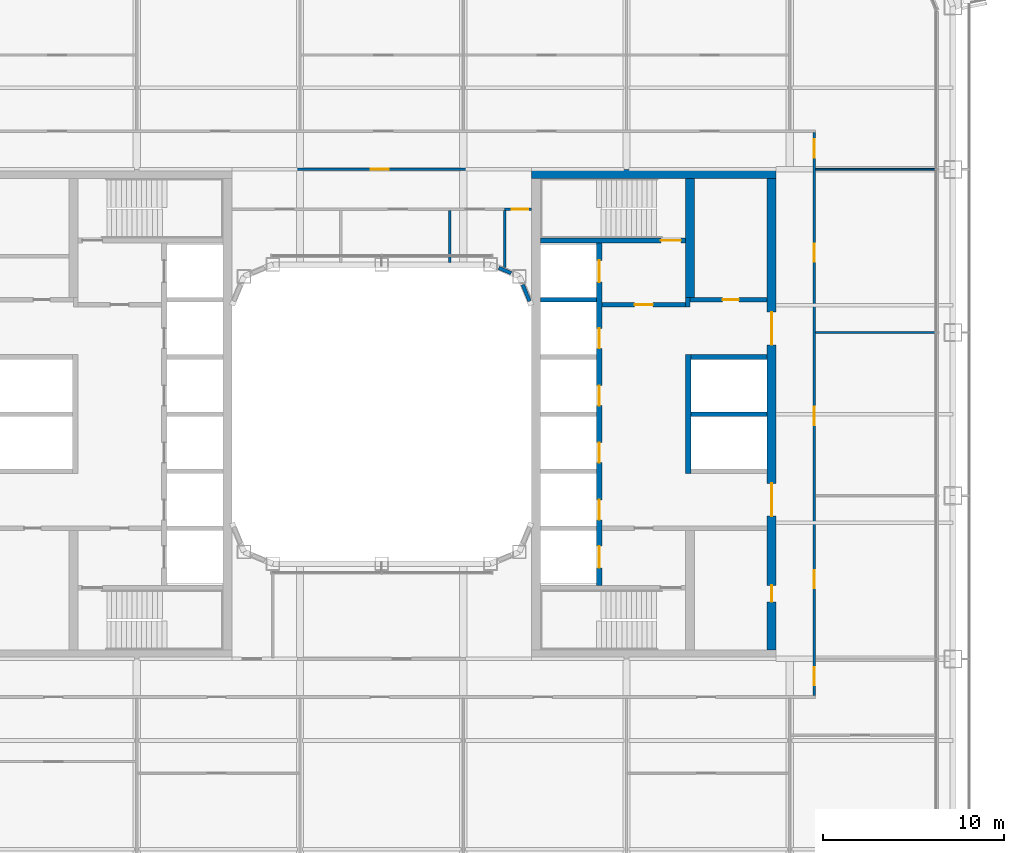
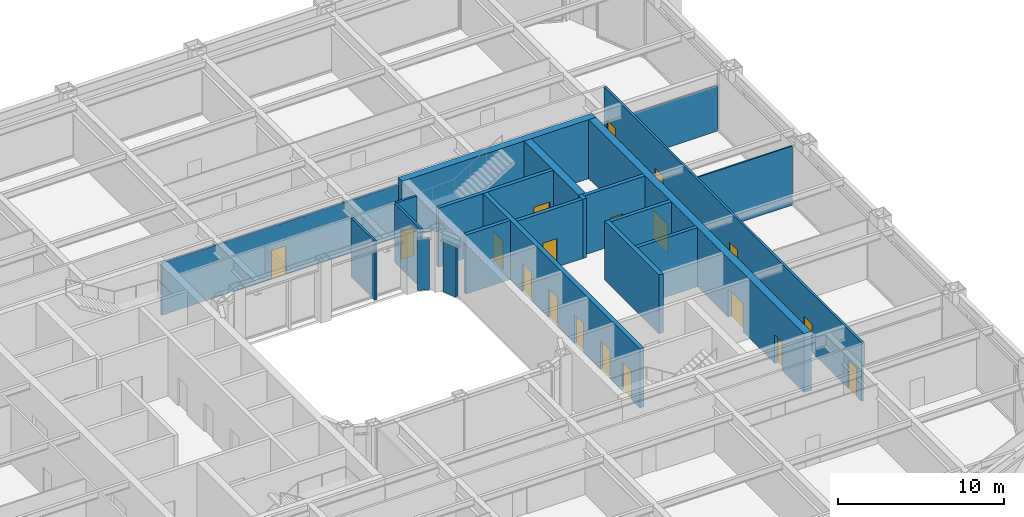
# One storey, part 15 of 30: 21 walls, 19 doors, 19 openings.
"""IFC4 building model written with IfcOpenShell, lengths in metres."""

from ifc_helpers import new_model, si_unit, direction, frame, frame_2d, origin, place, context, subcontext, project, spatial, rectangle, extrude, material, layer, layer_set, type_object, element, fill, save


model = new_model("IFC4")

# Units and contexts
model_context = context("Model", 3, precision=1e-05, world=origin(), true_north=direction((0.0, 1.0)))
body_context = subcontext(model_context, "Body", "Model", "MODEL_VIEW")
ifc_project = project(units=[si_unit("LENGTHUNIT", "METRE"), si_unit("AREAUNIT", "SQUARE_METRE"), si_unit("VOLUMEUNIT", "CUBIC_METRE"), si_unit("PLANEANGLEUNIT", "RADIAN"), si_unit("MASSUNIT", "GRAM", prefix="KILO")], contexts=[model_context])

# Site, building, storey
site_placement = place(None, origin())
site = spatial("IfcSite", under=ifc_project, at=site_placement, CompositionType="ELEMENT")
building_placement = place(site_placement, origin())
building = spatial("IfcBuilding", under=site, at=building_placement, Name="Siwar Civic Tower", CompositionType="ELEMENT")
storey_placement = place(building_placement, frame((0.0, 0.0, 62.699951171875)))
storey = spatial("IfcBuildingStorey", under=building, at=storey_placement, Name="L13", CompositionType="ELEMENT", Elevation=62.699951171875)

# Wall, opening, door
ifc_material_1 = material(Name="Gypsum board on steel studs", Category="steel")
ifc_layer_1 = layer(ifc_material_1, 0.14990234375)
ifc_layer_set_1 = layer_set([ifc_layer_1], Name="Gypsum board on steel studs")
wall_type_1 = type_object("IfcWallType", Name="COMPARTMENT PARTITION 150 EI 60", PredefinedType="PARTITIONING", material=ifc_layer_set_1)
wall_1_placement = place(storey_placement, frame((6.780029296875, 11.300048828125, 0.0), z_axis=(0.0, 0.0, 1.0), x_axis=(1.0, 0.0, 0.0)))
wall_1 = element("IfcWall", 1, at=wall_1_placement, inside=storey, type_object=wall_type_1, Name="L13/wall/P15", PredefinedType="PARTITIONING", context=body_context, shape_type="SweptSolid", body=[
    extrude(rectangle(XDim=1.469970703125, YDim=0.14990234375, at=frame_2d((0.73486328125, 0.0))), origin(), (0.0, 0.0, 1.0), 4.35009765625),
])
opening_1_placement = place(wall_1_placement, frame((0.39990234375, 0.0, 0.0)))
opening_1 = element("IfcOpeningElement", 2, at=opening_1_placement, cuts=wall_1, Name="Opening D4", PredefinedType="OPENING", context=body_context, shape_type="SweptSolid", body=[
    extrude(rectangle(XDim=0.89990234375, YDim=2.10009765625, at=frame_2d((0.449951171875, 1.050048828125))), frame((0.0, 0.0849609375, 0.0), z_axis=(0.0, -1.0, 0.0), x_axis=(1.0, 0.0, 0.0)), (0.0, 0.0, 1.0), 0.169921875),
])
ifc_material_2 = material(Name="Timber, painted", Category="wood")
door_type_1 = type_object("IfcDoorType", Name="DOOR 900 X 2100 FD60", OperationType="SINGLE_SWING_LEFT", PredefinedType="DOOR", material=ifc_material_2)
door_1_placement = place(opening_1_placement, origin())
door_1 = element("IfcDoor", 3, at=door_1_placement, inside=storey, type_object=door_type_1, Name="L13-D36", OperationType="SINGLE_SWING_RIGHT", OverallHeight=2.10009765625, OverallWidth=0.89990234375, PredefinedType="DOOR", context=body_context, shape_type="SweptSolid", body=[
    extrude(rectangle(XDim=0.89990234375, YDim=2.10009765625, at=frame_2d((0.449951171875, 1.050048828125))), frame((0.0, 0.02490234375, 0.0), z_axis=(0.0, -1.0, 0.0), x_axis=(1.0, 0.0, 0.0)), (0.0, 0.0, 1.0), 0.050048828125),
])
fill(opening_1, door_1)

# Wall
wall_2_placement = place(storey_placement, frame((6.780029296875, 8.0791015625, 0.0), z_axis=(0.0, 0.0, 1.0), x_axis=(0.0, 1.0, 0.0)))
element("IfcWall", 4, at=wall_2_placement, inside=storey, type_object=wall_type_1, Name="L13/wall/P37", PredefinedType="PARTITIONING", context=body_context, shape_type="SweptSolid", body=[
    extrude(rectangle(XDim=3.14599609375, YDim=0.14990234375, at=frame_2d((1.572998046875, 0.0))), origin(), (0.0, 0.0, 1.0), 4.35009765625),
])

# Wall, opening, door
ifc_material_3 = material(Name="Concrete C60/75", Category="concrete")
ifc_layer_2 = layer(ifc_material_3, 0.25)
ifc_layer_set_2 = layer_set([ifc_layer_2], Name="Concrete C60/75")
wall_type_2 = type_object("IfcWallType", Name="CORE-WALL-RC250", PredefinedType="SHEAR", material=ifc_layer_set_2)
wall_3_placement = place(storey_placement, frame((12.14990234375, 6.02490234375, 0.0), z_axis=(0.0, 0.0, 1.0), x_axis=(1.0, 0.0, 0.0)))
wall_3 = element("IfcWall", 5, at=wall_3_placement, inside=storey, type_object=wall_type_2, Name="Core wall E", PredefinedType="SHEAR", context=body_context, shape_type="SweptSolid", body=[
    extrude(rectangle(XDim=4.60009765625, YDim=0.25, at=frame_2d((2.300048828125, 0.0))), origin(), (0.0, 0.0, 1.0), 4.35009765625),
])
opening_2_placement = place(wall_3_placement, frame((1.800048828125, 0.0, 0.0)))
opening_2 = element("IfcOpeningElement", 6, at=opening_2_placement, cuts=wall_3, Name="Opening L13-CE01", PredefinedType="OPENING", context=body_context, shape_type="SweptSolid", body=[
    extrude(rectangle(XDim=1.0, YDim=2.10009765625, at=frame_2d((0.5, 1.050048828125))), frame((0.0, 0.135009765625, 0.0), z_axis=(0.0, -1.0, 0.0), x_axis=(1.0, 0.0, 0.0)), (0.0, 0.0, 1.0), 0.27001953125),
])
ifc_material_4 = material(Name="Steel door leaf", Category="steel")
door_type_2 = type_object("IfcDoorType", Name="CORE-DOOR-FD30S", OperationType="SINGLE_SWING_LEFT", PredefinedType="DOOR", material=ifc_material_4)
door_2_placement = place(opening_2_placement, origin())
door_2 = element("IfcDoor", 7, at=door_2_placement, inside=storey, type_object=door_type_2, Name="Firefighting lobby door L13-CE01", OperationType="SINGLE_SWING_RIGHT", OverallHeight=2.10009765625, OverallWidth=1.0, PredefinedType="DOOR", context=body_context, shape_type="SweptSolid", body=[
    extrude(rectangle(XDim=1.0, YDim=2.10009765625, at=frame_2d((0.5, 1.050048828125))), frame((0.0, 0.02490234375, 0.0), z_axis=(0.0, -1.0, 0.0), x_axis=(1.0, 0.0, 0.0)), (0.0, 0.0, 1.0), 0.050048828125),
])
fill(opening_2, door_2)

# Wall
wall_4_placement = place(storey_placement, frame((16.875, 5.89990234375, 0.0), z_axis=(0.0, 0.0, 1.0), x_axis=(0.0, 1.0, 0.0)))
element("IfcWall", 8, at=wall_4_placement, inside=storey, type_object=wall_type_2, Name="Core wall E", PredefinedType="SHEAR", context=body_context, shape_type="SweptSolid", body=[
    extrude(rectangle(XDim=0.525146484375, YDim=0.25, at=frame_2d((0.2626953125, 0.0))), origin(), (0.0, 0.0, 1.0), 4.35009765625),
])

# Wall, opening, door
wall_5_placement = place(storey_placement, frame((17.0, 6.300048828125, 0.0), z_axis=(0.0, 0.0, 1.0), x_axis=(1.0, 0.0, 0.0)))
wall_5 = element("IfcWall", 9, at=wall_5_placement, inside=storey, type_object=wall_type_2, Name="Core wall E", PredefinedType="SHEAR", context=body_context, shape_type="SweptSolid", body=[
    extrude(rectangle(XDim=4.25, YDim=0.25, at=frame_2d((2.125, 0.0))), origin(), (0.0, 0.0, 1.0), 4.35009765625),
])
opening_3_placement = place(wall_5_placement, frame((1.800048828125, 0.0, 0.0)))
opening_3 = element("IfcOpeningElement", 10, at=opening_3_placement, cuts=wall_5, Name="Opening L13-CE13", PredefinedType="OPENING", context=body_context, shape_type="SweptSolid", body=[
    extrude(rectangle(XDim=0.89990234375, YDim=2.10009765625, at=frame_2d((0.449951171875, 1.050048828125))), frame((0.0, 0.135009765625, 0.0), z_axis=(0.0, -1.0, 0.0), x_axis=(1.0, 0.0, 0.0)), (0.0, 0.0, 1.0), 0.27001953125),
])
ifc_material_5 = material(Name="Steel door leaf", Category="steel")
door_type_3 = type_object("IfcDoorType", Name="CORE-DOOR-ROOM", OperationType="SINGLE_SWING_LEFT", PredefinedType="DOOR", material=ifc_material_5)
door_3_placement = place(opening_3_placement, origin())
door_3 = element("IfcDoor", 11, at=door_3_placement, inside=storey, type_object=door_type_3, Name="Core room door L13-CE13", OperationType="SINGLE_SWING_RIGHT", OverallHeight=2.10009765625, OverallWidth=0.89990234375, PredefinedType="DOOR", context=body_context, shape_type="SweptSolid", body=[
    extrude(rectangle(XDim=0.89990234375, YDim=2.10009765625, at=frame_2d((0.449951171875, 1.050048828125))), frame((0.0, 0.02490234375, 0.0), z_axis=(0.0, -1.0, 0.0), x_axis=(1.0, 0.0, 0.0)), (0.0, 0.0, 1.0), 0.050048828125),
])
fill(opening_3, door_3)

# Walls
for number, where, z_axis, x_axis, name in (
    (12, (17.050048828125, 0.0, 0.0), (0.0, 0.0, 1.0), (1.0, 0.0, 0.0), "Core wall E"),
    (13, (17.050048828125, 3.14990234375, 0.0), (0.0, 0.0, 1.0), (1.0, 0.0, 0.0), "Core wall E"),
):
    element("IfcWall", number, at=place(storey_placement, frame(where, z_axis=z_axis, x_axis=x_axis)), inside=storey, type_object=wall_type_2, Name=name, PredefinedType="SHEAR", context=body_context, shape_type="SweptSolid", body=[
        extrude(rectangle(XDim=4.199951171875, YDim=0.25, at=frame_2d((2.10009765625, 0.0))), origin(), (0.0, 0.0, 1.0), 4.35009765625),
    ])
wall_6_placement = place(storey_placement, frame((8.75, 6.300048828125, 0.0), z_axis=(0.0, 0.0, 1.0), x_axis=(1.0, 0.0, 0.0)))
element("IfcWall", 14, at=wall_6_placement, inside=storey, type_object=wall_type_2, Name="Core wall E", PredefinedType="SHEAR", context=body_context, shape_type="SweptSolid", body=[
    extrude(rectangle(XDim=3.10009765625, YDim=0.25, at=frame_2d((1.550048828125, 0.0))), origin(), (0.0, 0.0, 1.0), 4.35009765625),
])

# Wall, opening, door
wall_7_placement = place(storey_placement, frame((8.75, 9.574951171875, 0.0), z_axis=(0.0, 0.0, 1.0), x_axis=(1.0, 0.0, 0.0)))
wall_7 = element("IfcWall", 15, at=wall_7_placement, inside=storey, type_object=wall_type_2, Name="Core wall E", PredefinedType="SHEAR", context=body_context, shape_type="SweptSolid", body=[
    extrude(rectangle(XDim=8.0, YDim=0.25, at=frame_2d((4.0, 0.0))), origin(), (0.0, 0.0, 1.0), 4.35009765625),
])
opening_4_placement = place(wall_7_placement, frame((6.64990234375, 0.0, 0.0)))
opening_4 = element("IfcOpeningElement", 16, at=opening_4_placement, cuts=wall_7, Name="Opening L13-CE03", PredefinedType="OPENING", context=body_context, shape_type="SweptSolid", body=[
    extrude(rectangle(XDim=1.10009765625, YDim=2.10009765625, at=frame_2d((0.550048828125, 1.050048828125))), frame((0.0, 0.135009765625, 0.0), z_axis=(0.0, -1.0, 0.0), x_axis=(1.0, 0.0, 0.0)), (0.0, 0.0, 1.0), 0.27001953125),
])
ifc_material_6 = material(Name="Steel door leaf", Category="steel")
door_type_4 = type_object("IfcDoorType", Name="CORE-DOOR-FD60S", OperationType="SINGLE_SWING_LEFT", PredefinedType="DOOR", material=ifc_material_6)
door_4_placement = place(opening_4_placement, origin())
door_4 = element("IfcDoor", 17, at=door_4_placement, inside=storey, type_object=door_type_4, Name="Stair door L13-CE03", OperationType="SINGLE_SWING_LEFT", OverallHeight=2.10009765625, OverallWidth=1.10009765625, PredefinedType="DOOR", context=body_context, shape_type="SweptSolid", body=[
    extrude(rectangle(XDim=1.10009765625, YDim=2.10009765625, at=frame_2d((0.550048828125, 1.050048828125))), frame((0.0, 0.02490234375, 0.0), z_axis=(0.0, -1.0, 0.0), x_axis=(1.0, 0.0, 0.0)), (0.0, 0.0, 1.0), 0.050048828125),
])
fill(opening_4, door_4)

# Wall, openings, doors
ifc_material_7 = material(Name="Concrete C60/75", Category="concrete")
ifc_layer_3 = layer(ifc_material_7, 0.300048828125)
ifc_layer_set_3 = layer_set([ifc_layer_3], Name="Concrete C60/75")
wall_type_3 = type_object("IfcWallType", Name="CORE-WALL-RC300", PredefinedType="SHEAR", material=ifc_layer_set_3)
wall_8_placement = place(storey_placement, frame((12.0, -9.449951171875, 0.0), z_axis=(0.0, 0.0, 1.0), x_axis=(0.0, 1.0, 0.0)))
wall_8 = element("IfcWall", 18, at=wall_8_placement, inside=storey, type_object=wall_type_3, Name="Core wall E", PredefinedType="SHEAR", context=body_context, shape_type="SweptSolid", body=[
    extrude(rectangle(XDim=18.89990234375, YDim=0.300048828125, at=frame_2d((9.449951171875, 0.0))), origin(), (0.0, 0.0, 1.0), 4.35009765625),
])
opening_5_placement = place(wall_8_placement, frame((3.625, 0.0, 0.0)))
opening_5 = element("IfcOpeningElement", 19, at=opening_5_placement, cuts=wall_8, Name="Opening L13-CE07", PredefinedType="OPENING", context=body_context, shape_type="SweptSolid", body=[
    extrude(rectangle(XDim=1.10009765625, YDim=2.10009765625, at=frame_2d((0.550048828125, 1.050048828125))), frame((0.0, 0.16015625, 0.0), z_axis=(0.0, -1.0, 0.0), x_axis=(1.0, 0.0, 0.0)), (0.0, 0.0, 1.0), 0.320068359375),
])
opening_6_placement = place(wall_8_placement, frame((6.77490234375, 0.0, 0.0)))
opening_6 = element("IfcOpeningElement", 20, at=opening_6_placement, cuts=wall_8, Name="Opening L13-CE08", PredefinedType="OPENING", context=body_context, shape_type="SweptSolid", body=[
    extrude(rectangle(XDim=1.10009765625, YDim=2.10009765625, at=frame_2d((0.550048828125, 1.050048828125))), frame((0.0, 0.16015625, 0.0), z_axis=(0.0, -1.0, 0.0), x_axis=(1.0, 0.0, 0.0)), (0.0, 0.0, 1.0), 0.320068359375),
])
opening_7_placement = place(wall_8_placement, frame((9.925048828125, 0.0, 0.0)))
opening_7 = element("IfcOpeningElement", 21, at=opening_7_placement, cuts=wall_8, Name="Opening L13-CE09", PredefinedType="OPENING", context=body_context, shape_type="SweptSolid", body=[
    extrude(rectangle(XDim=1.10009765625, YDim=2.10009765625, at=frame_2d((0.550048828125, 1.050048828125))), frame((0.0, 0.16015625, 0.0), z_axis=(0.0, -1.0, 0.0), x_axis=(1.0, 0.0, 0.0)), (0.0, 0.0, 1.0), 0.320068359375),
])
opening_8_placement = place(wall_8_placement, frame((13.074951171875, 0.0, 0.0)))
opening_8 = element("IfcOpeningElement", 22, at=opening_8_placement, cuts=wall_8, Name="Opening L13-CE10", PredefinedType="OPENING", context=body_context, shape_type="SweptSolid", body=[
    extrude(rectangle(XDim=1.10009765625, YDim=2.10009765625, at=frame_2d((0.550048828125, 1.050048828125))), frame((0.0, 0.16015625, 0.0), z_axis=(0.0, -1.0, 0.0), x_axis=(1.0, 0.0, 0.0)), (0.0, 0.0, 1.0), 0.320068359375),
])
opening_9_placement = place(wall_8_placement, frame((16.72509765625, 0.0, 0.0)))
opening_9 = element("IfcOpeningElement", 23, at=opening_9_placement, cuts=wall_8, Name="Opening L13-CE11", PredefinedType="OPENING", context=body_context, shape_type="SweptSolid", body=[
    extrude(rectangle(XDim=1.199951171875, YDim=2.10009765625, at=frame_2d((0.60009765625, 1.050048828125))), frame((0.0, 0.16015625, 0.0), z_axis=(0.0, -1.0, 0.0), x_axis=(1.0, 0.0, 0.0)), (0.0, 0.0, 1.0), 0.320068359375),
])
opening_10_placement = place(wall_8_placement, frame((0.97509765625, 0.0, 0.0)))
opening_10 = element("IfcOpeningElement", 24, at=opening_10_placement, cuts=wall_8, Name="Opening L13-CE12", PredefinedType="OPENING", context=body_context, shape_type="SweptSolid", body=[
    extrude(rectangle(XDim=1.199951171875, YDim=2.10009765625, at=frame_2d((0.60009765625, 1.050048828125))), frame((0.0, 0.16015625, 0.0), z_axis=(0.0, -1.0, 0.0), x_axis=(1.0, 0.0, 0.0)), (0.0, 0.0, 1.0), 0.320068359375),
])
ifc_material_8 = material(Name="Steel door leaf", Category="steel")
door_type_5 = type_object("IfcDoorType", Name="CORE-DOOR-LD", OperationType="DOUBLE_DOOR_SLIDING", PredefinedType="DOOR", material=ifc_material_8)
door_5_placement = place(opening_5_placement, origin())
door_5 = element("IfcDoor", 25, at=door_5_placement, inside=storey, type_object=door_type_5, Name="Landing door LR5 L13-CE07", OperationType="DOUBLE_DOOR_SLIDING", OverallHeight=2.10009765625, OverallWidth=1.10009765625, PredefinedType="DOOR", context=body_context, shape_type="SweptSolid", body=[
    extrude(rectangle(XDim=1.10009765625, YDim=2.10009765625, at=frame_2d((0.550048828125, 1.050048828125))), frame((0.0, 0.02490234375, 0.0), z_axis=(0.0, -1.0, 0.0), x_axis=(1.0, 0.0, 0.0)), (0.0, 0.0, 1.0), 0.050048828125),
])
fill(opening_5, door_5)
door_6_placement = place(opening_6_placement, origin())
door_6 = element("IfcDoor", 26, at=door_6_placement, inside=storey, type_object=door_type_5, Name="Landing door LR6 L13-CE08", OperationType="DOUBLE_DOOR_SLIDING", OverallHeight=2.10009765625, OverallWidth=1.10009765625, PredefinedType="DOOR", context=body_context, shape_type="SweptSolid", body=[
    extrude(rectangle(XDim=1.10009765625, YDim=2.10009765625, at=frame_2d((0.550048828125, 1.050048828125))), frame((0.0, 0.02490234375, 0.0), z_axis=(0.0, -1.0, 0.0), x_axis=(1.0, 0.0, 0.0)), (0.0, 0.0, 1.0), 0.050048828125),
])
fill(opening_6, door_6)
door_7_placement = place(opening_7_placement, origin())
door_7 = element("IfcDoor", 27, at=door_7_placement, inside=storey, type_object=door_type_5, Name="Landing door LR7 L13-CE09", OperationType="DOUBLE_DOOR_SLIDING", OverallHeight=2.10009765625, OverallWidth=1.10009765625, PredefinedType="DOOR", context=body_context, shape_type="SweptSolid", body=[
    extrude(rectangle(XDim=1.10009765625, YDim=2.10009765625, at=frame_2d((0.550048828125, 1.050048828125))), frame((0.0, 0.02490234375, 0.0), z_axis=(0.0, -1.0, 0.0), x_axis=(1.0, 0.0, 0.0)), (0.0, 0.0, 1.0), 0.050048828125),
])
fill(opening_7, door_7)
door_8_placement = place(opening_8_placement, origin())
door_8 = element("IfcDoor", 28, at=door_8_placement, inside=storey, type_object=door_type_5, Name="Landing door LR8 L13-CE10", OperationType="DOUBLE_DOOR_SLIDING", OverallHeight=2.10009765625, OverallWidth=1.10009765625, PredefinedType="DOOR", context=body_context, shape_type="SweptSolid", body=[
    extrude(rectangle(XDim=1.10009765625, YDim=2.10009765625, at=frame_2d((0.550048828125, 1.050048828125))), frame((0.0, 0.02490234375, 0.0), z_axis=(0.0, -1.0, 0.0), x_axis=(1.0, 0.0, 0.0)), (0.0, 0.0, 1.0), 0.050048828125),
])
fill(opening_8, door_8)
ifc_material_9 = material(Name="Steel door leaf", Category="steel")
door_type_6 = type_object("IfcDoorType", Name="CORE-DOOR-LDW", OperationType="DOUBLE_DOOR_SLIDING", PredefinedType="DOOR", material=ifc_material_9)
door_9_placement = place(opening_9_placement, origin())
door_9 = element("IfcDoor", 29, at=door_9_placement, inside=storey, type_object=door_type_6, Name="Landing door FF2 L13-CE11", OperationType="DOUBLE_DOOR_SLIDING", OverallHeight=2.10009765625, OverallWidth=1.199951171875, PredefinedType="DOOR", context=body_context, shape_type="SweptSolid", body=[
    extrude(rectangle(XDim=1.199951171875, YDim=2.10009765625, at=frame_2d((0.60009765625, 1.050048828125))), frame((0.0, 0.02490234375, 0.0), z_axis=(0.0, -1.0, 0.0), x_axis=(1.0, 0.0, 0.0)), (0.0, 0.0, 1.0), 0.050048828125),
])
fill(opening_9, door_9)
door_10_placement = place(opening_10_placement, origin())
door_10 = element("IfcDoor", 30, at=door_10_placement, inside=storey, type_object=door_type_6, Name="Landing door SV2 L13-CE12", OperationType="DOUBLE_DOOR_SLIDING", OverallHeight=2.10009765625, OverallWidth=1.199951171875, PredefinedType="DOOR", context=body_context, shape_type="SweptSolid", body=[
    extrude(rectangle(XDim=1.199951171875, YDim=2.10009765625, at=frame_2d((0.60009765625, 1.050048828125))), frame((0.0, 0.02490234375, 0.0), z_axis=(0.0, -1.0, 0.0), x_axis=(1.0, 0.0, 0.0)), (0.0, 0.0, 1.0), 0.050048828125),
])
fill(opening_10, door_10)

# Wall
wall_9_placement = place(storey_placement, frame((16.89990234375, -3.27490234375, 0.0), z_axis=(0.0, 0.0, 1.0), x_axis=(0.0, 1.0, 0.0)))
element("IfcWall", 31, at=wall_9_placement, inside=storey, type_object=wall_type_3, Name="Core wall E", PredefinedType="SHEAR", context=body_context, shape_type="SweptSolid", body=[
    extrude(rectangle(XDim=6.5498046875, YDim=0.300048828125, at=frame_2d((3.27490234375, 0.0))), origin(), (0.0, 0.0, 1.0), 4.35009765625),
])

# Wall, openings, doors
ifc_material_10 = material(Name="Concrete C60/75", Category="concrete")
ifc_layer_4 = layer(ifc_material_10, 0.5)
ifc_layer_set_4 = layer_set([ifc_layer_4], Name="Concrete C60/75")
wall_type_4 = type_object("IfcWallType", Name="CORE-WALL-RC500", PredefinedType="SHEAR", material=ifc_layer_set_4)
wall_10_placement = place(storey_placement, frame((21.5, -13.0, 0.0), z_axis=(0.0, 0.0, 1.0), x_axis=(0.0, 1.0, 0.0)))
wall_10 = element("IfcWall", 32, at=wall_10_placement, inside=storey, type_object=wall_type_4, Name="Core wall E", PredefinedType="SHEAR", context=body_context, shape_type="SweptSolid", body=[
    extrude(rectangle(XDim=26.0, YDim=0.5, at=frame_2d((13.0, 0.0))), origin(), (0.0, 0.0, 1.0), 4.35009765625),
])
opening_11_placement = place(wall_10_placement, frame((16.824951171875, 0.0, 0.0)))
opening_11 = element("IfcOpeningElement", 33, at=opening_11_placement, cuts=wall_10, Name="Opening L13-CE05", PredefinedType="OPENING", context=body_context, shape_type="SweptSolid", body=[
    extrude(rectangle(XDim=1.800048828125, YDim=2.10009765625, at=frame_2d((0.89990234375, 1.050048828125))), frame((0.0, 0.260009765625, 0.0), z_axis=(0.0, -1.0, 0.0), x_axis=(1.0, 0.0, 0.0)), (0.0, 0.0, 1.0), 0.52001953125),
])
opening_12_placement = place(wall_10_placement, frame((7.375, 0.0, 0.0)))
opening_12 = element("IfcOpeningElement", 34, at=opening_12_placement, cuts=wall_10, Name="Opening L13-CE06", PredefinedType="OPENING", context=body_context, shape_type="SweptSolid", body=[
    extrude(rectangle(XDim=1.800048828125, YDim=2.10009765625, at=frame_2d((0.89990234375, 1.050048828125))), frame((0.0, 0.260009765625, 0.0), z_axis=(0.0, -1.0, 0.0), x_axis=(1.0, 0.0, 0.0)), (0.0, 0.0, 1.0), 0.52001953125),
])
opening_13_placement = place(wall_10_placement, frame((2.64990234375, 0.0, 0.0)))
opening_13 = element("IfcOpeningElement", 35, at=opening_13_placement, cuts=wall_10, Name="Opening L13-CE14", PredefinedType="OPENING", context=body_context, shape_type="SweptSolid", body=[
    extrude(rectangle(XDim=0.89990234375, YDim=2.10009765625, at=frame_2d((0.449951171875, 1.050048828125))), frame((0.0, 0.260009765625, 0.0), z_axis=(0.0, -1.0, 0.0), x_axis=(1.0, 0.0, 0.0)), (0.0, 0.0, 1.0), 0.52001953125),
])
ifc_material_11 = material(Name="Steel door leaf", Category="steel")
door_type_7 = type_object("IfcDoorType", Name="CORE-DOOR-PORT", OperationType="DOUBLE_DOOR_DOUBLE_SWING", PredefinedType="DOOR", material=ifc_material_11)
door_11_placement = place(opening_11_placement, origin())
door_11 = element("IfcDoor", 36, at=door_11_placement, inside=storey, type_object=door_type_7, Name="Core entrance door L13-CE05", OperationType="DOUBLE_DOOR_DOUBLE_SWING", OverallHeight=2.10009765625, OverallWidth=1.800048828125, PredefinedType="DOOR", context=body_context, shape_type="SweptSolid", body=[
    extrude(rectangle(XDim=1.800048828125, YDim=2.10009765625, at=frame_2d((0.89990234375, 1.050048828125))), frame((0.0, 0.02490234375, 0.0), z_axis=(0.0, -1.0, 0.0), x_axis=(1.0, 0.0, 0.0)), (0.0, 0.0, 1.0), 0.050048828125),
])
fill(opening_11, door_11)
door_12_placement = place(opening_12_placement, origin())
door_12 = element("IfcDoor", 37, at=door_12_placement, inside=storey, type_object=door_type_7, Name="Core entrance door L13-CE06", OperationType="DOUBLE_DOOR_DOUBLE_SWING", OverallHeight=2.10009765625, OverallWidth=1.800048828125, PredefinedType="DOOR", context=body_context, shape_type="SweptSolid", body=[
    extrude(rectangle(XDim=1.800048828125, YDim=2.10009765625, at=frame_2d((0.89990234375, 1.050048828125))), frame((0.0, 0.02490234375, 0.0), z_axis=(0.0, -1.0, 0.0), x_axis=(1.0, 0.0, 0.0)), (0.0, 0.0, 1.0), 0.050048828125),
])
fill(opening_12, door_12)
door_13_placement = place(opening_13_placement, origin())
door_13 = element("IfcDoor", 38, at=door_13_placement, inside=storey, type_object=door_type_3, Name="Core room door L13-CE14", OperationType="SINGLE_SWING_RIGHT", OverallHeight=2.10009765625, OverallWidth=0.89990234375, PredefinedType="DOOR", context=body_context, shape_type="SweptSolid", body=[
    extrude(rectangle(XDim=0.89990234375, YDim=2.10009765625, at=frame_2d((0.449951171875, 1.050048828125))), frame((0.0, 0.02490234375, 0.0), z_axis=(0.0, -1.0, 0.0), x_axis=(1.0, 0.0, 0.0)), (0.0, 0.0, 1.0), 0.050048828125),
])
fill(opening_13, door_13)

# Walls
wall_11_placement = place(storey_placement, frame((17.0, 6.425048828125, 0.0), z_axis=(0.0, 0.0, 1.0), x_axis=(0.0, 1.0, 0.0)))
element("IfcWall", 39, at=wall_11_placement, inside=storey, type_object=wall_type_4, Name="Core wall E", PredefinedType="SHEAR", context=body_context, shape_type="SweptSolid", body=[
    extrude(rectangle(XDim=6.574951171875, YDim=0.5, at=frame_2d((3.28759765625, 0.0))), origin(), (0.0, 0.0, 1.0), 4.35009765625),
])
wall_12_placement = place(storey_placement, frame((8.25, 13.25, 0.0), z_axis=(0.0, 0.0, 1.0), x_axis=(1.0, 0.0, 0.0)))
element("IfcWall", 40, at=wall_12_placement, inside=storey, type_object=wall_type_4, Name="Core wall E", PredefinedType="SHEAR", context=body_context, shape_type="SweptSolid", body=[
    extrude(rectangle(XDim=13.5, YDim=0.5, at=frame_2d((6.75, 0.0))), origin(), (0.0, 0.0, 1.0), 4.35009765625),
])

# Wall, opening, door
ifc_material_12 = material(Name="Gypsum board on steel studs", Category="steel")
ifc_layer_5 = layer(ifc_material_12, 0.14990234375)
ifc_layer_set_5 = layer_set([ifc_layer_5], Name="Gypsum board on steel studs")
wall_type_5 = type_object("IfcWallType", Name="CORRIDOR PARTITION 150 EI 30", PredefinedType="PARTITIONING", material=ifc_layer_set_5)
wall_13_placement = place(storey_placement, frame((-8.25, 13.5, 0.0), z_axis=(0.0, 0.0, 1.0), x_axis=(1.0, 0.0, 0.0)))
wall_13 = element("IfcWall", 41, at=wall_13_placement, inside=storey, type_object=wall_type_5, Name="L13/wall/P18", PredefinedType="PARTITIONING", context=body_context, shape_type="SweptSolid", body=[
    extrude(rectangle(XDim=16.5, YDim=0.14990234375, at=frame_2d((8.25, 0.0))), origin(), (0.0, 0.0, 1.0), 3.85009765625),
])
opening_14_placement = place(wall_13_placement, frame((7.64990234375, 0.0, 0.0)))
opening_14 = element("IfcOpeningElement", 42, at=opening_14_placement, cuts=wall_13, Name="Opening D1", PredefinedType="OPENING", context=body_context, shape_type="SweptSolid", body=[
    extrude(rectangle(XDim=1.0, YDim=2.10009765625, at=frame_2d((0.5, 1.050048828125))), frame((0.0, 0.0849609375, 0.0), z_axis=(0.0, -1.0, 0.0), x_axis=(1.0, 0.0, 0.0)), (0.0, 0.0, 1.0), 0.169921875),
])
ifc_material_13 = material(Name="Timber, painted", Category="wood")
door_type_8 = type_object("IfcDoorType", Name="DOOR 1000 X 2100 FD30", OperationType="SINGLE_SWING_LEFT", PredefinedType="DOOR", material=ifc_material_13)
door_14_placement = place(opening_14_placement, origin())
door_14 = element("IfcDoor", 43, at=door_14_placement, inside=storey, type_object=door_type_8, Name="L13-D32", OperationType="SINGLE_SWING_RIGHT", OverallHeight=2.10009765625, OverallWidth=1.0, PredefinedType="DOOR", context=body_context, shape_type="SweptSolid", body=[
    extrude(rectangle(XDim=1.0, YDim=2.10009765625, at=frame_2d((0.5, 1.050048828125))), frame((0.0, 0.02490234375, 0.0), z_axis=(0.0, -1.0, 0.0), x_axis=(1.0, 0.0, 0.0)), (0.0, 0.0, 1.0), 0.050048828125),
])
fill(opening_14, door_14)

# Wall
wall_14_placement = place(storey_placement, frame((3.75, 8.3701171875, 0.0), z_axis=(0.0, 0.0, 1.0), x_axis=(0.0, 1.0, 0.0)))
element("IfcWall", 44, at=wall_14_placement, inside=storey, type_object=wall_type_5, Name="L13/wall/P33", PredefinedType="PARTITIONING", context=body_context, shape_type="SweptSolid", body=[
    extrude(rectangle(XDim=2.85498046875, YDim=0.14990234375, at=frame_2d((1.427490234375, 0.0))), origin(), (0.0, 0.0, 1.0), 4.35009765625),
])

# Wall, openings, doors
wall_15_placement = place(storey_placement, frame((23.85009765625, -15.52490234375, 0.0), z_axis=(0.0, 0.0, 1.0), x_axis=(0.0, 1.0, 0.0)))
wall_15 = element("IfcWall", 45, at=wall_15_placement, inside=storey, type_object=wall_type_5, Name="L13/wall/P43", PredefinedType="PARTITIONING", context=body_context, shape_type="SweptSolid", body=[
    extrude(rectangle(XDim=31.0498046875, YDim=0.14990234375, at=frame_2d((15.52490234375, 0.0))), origin(), (0.0, 0.0, 1.0), 4.35009765625),
])
opening_15_placement = place(wall_15_placement, frame((29.675048828125, 0.0, 0.0)))
opening_15 = element("IfcOpeningElement", 46, at=opening_15_placement, cuts=wall_15, Name="Opening D1", PredefinedType="OPENING", context=body_context, shape_type="SweptSolid", body=[
    extrude(rectangle(XDim=1.0, YDim=2.10009765625, at=frame_2d((0.5, 1.050048828125))), frame((0.0, 0.0849609375, 0.0), z_axis=(0.0, -1.0, 0.0), x_axis=(1.0, 0.0, 0.0)), (0.0, 0.0, 1.0), 0.169921875),
])
opening_16_placement = place(wall_15_placement, frame((0.574951171875, 0.0, 0.0)))
opening_16 = element("IfcOpeningElement", 47, at=opening_16_placement, cuts=wall_15, Name="Opening D1", PredefinedType="OPENING", context=body_context, shape_type="SweptSolid", body=[
    extrude(rectangle(XDim=1.0, YDim=2.10009765625, at=frame_2d((0.5, 1.050048828125))), frame((0.0, 0.0849609375, 0.0), z_axis=(0.0, -1.0, 0.0), x_axis=(1.0, 0.0, 0.0)), (0.0, 0.0, 1.0), 0.169921875),
])
opening_17_placement = place(wall_15_placement, frame((5.925048828125, 0.0, 0.0)))
opening_17 = element("IfcOpeningElement", 48, at=opening_17_placement, cuts=wall_15, Name="Opening D1", PredefinedType="OPENING", context=body_context, shape_type="SweptSolid", body=[
    extrude(rectangle(XDim=1.0, YDim=2.10009765625, at=frame_2d((0.5, 1.050048828125))), frame((0.0, 0.0849609375, 0.0), z_axis=(0.0, -1.0, 0.0), x_axis=(1.0, 0.0, 0.0)), (0.0, 0.0, 1.0), 0.169921875),
])
opening_18_placement = place(wall_15_placement, frame((14.925048828125, 0.0, 0.0)))
opening_18 = element("IfcOpeningElement", 49, at=opening_18_placement, cuts=wall_15, Name="Opening D1", PredefinedType="OPENING", context=body_context, shape_type="SweptSolid", body=[
    extrude(rectangle(XDim=1.0, YDim=2.10009765625, at=frame_2d((0.5, 1.050048828125))), frame((0.0, 0.0849609375, 0.0), z_axis=(0.0, -1.0, 0.0), x_axis=(1.0, 0.0, 0.0)), (0.0, 0.0, 1.0), 0.169921875),
])
opening_19_placement = place(wall_15_placement, frame((23.925048828125, 0.0, 0.0)))
opening_19 = element("IfcOpeningElement", 50, at=opening_19_placement, cuts=wall_15, Name="Opening D1", PredefinedType="OPENING", context=body_context, shape_type="SweptSolid", body=[
    extrude(rectangle(XDim=1.0, YDim=2.10009765625, at=frame_2d((0.5, 1.050048828125))), frame((0.0, 0.0849609375, 0.0), z_axis=(0.0, -1.0, 0.0), x_axis=(1.0, 0.0, 0.0)), (0.0, 0.0, 1.0), 0.169921875),
])
door_15_placement = place(opening_15_placement, origin())
door_15 = element("IfcDoor", 51, at=door_15_placement, inside=storey, type_object=door_type_8, Name="L13-D21", OperationType="SINGLE_SWING_LEFT", OverallHeight=2.10009765625, OverallWidth=1.0, PredefinedType="DOOR", context=body_context, shape_type="SweptSolid", body=[
    extrude(rectangle(XDim=1.0, YDim=2.10009765625, at=frame_2d((0.5, 1.050048828125))), frame((0.0, 0.02490234375, 0.0), z_axis=(0.0, -1.0, 0.0), x_axis=(1.0, 0.0, 0.0)), (0.0, 0.0, 1.0), 0.050048828125),
])
fill(opening_15, door_15)
door_16_placement = place(opening_16_placement, origin())
door_16 = element("IfcDoor", 52, at=door_16_placement, inside=storey, type_object=door_type_8, Name="L13-D24", OperationType="SINGLE_SWING_RIGHT", OverallHeight=2.10009765625, OverallWidth=1.0, PredefinedType="DOOR", context=body_context, shape_type="SweptSolid", body=[
    extrude(rectangle(XDim=1.0, YDim=2.10009765625, at=frame_2d((0.5, 1.050048828125))), frame((0.0, 0.02490234375, 0.0), z_axis=(0.0, -1.0, 0.0), x_axis=(1.0, 0.0, 0.0)), (0.0, 0.0, 1.0), 0.050048828125),
])
fill(opening_16, door_16)
door_17_placement = place(opening_17_placement, origin())
door_17 = element("IfcDoor", 53, at=door_17_placement, inside=storey, type_object=door_type_8, Name="L13-D29", OperationType="SINGLE_SWING_LEFT", OverallHeight=2.10009765625, OverallWidth=1.0, PredefinedType="DOOR", context=body_context, shape_type="SweptSolid", body=[
    extrude(rectangle(XDim=1.0, YDim=2.10009765625, at=frame_2d((0.5, 1.050048828125))), frame((0.0, 0.02490234375, 0.0), z_axis=(0.0, -1.0, 0.0), x_axis=(1.0, 0.0, 0.0)), (0.0, 0.0, 1.0), 0.050048828125),
])
fill(opening_17, door_17)
door_18_placement = place(opening_18_placement, origin())
door_18 = element("IfcDoor", 54, at=door_18_placement, inside=storey, type_object=door_type_8, Name="L13-D30", OperationType="SINGLE_SWING_RIGHT", OverallHeight=2.10009765625, OverallWidth=1.0, PredefinedType="DOOR", context=body_context, shape_type="SweptSolid", body=[
    extrude(rectangle(XDim=1.0, YDim=2.10009765625, at=frame_2d((0.5, 1.050048828125))), frame((0.0, 0.02490234375, 0.0), z_axis=(0.0, -1.0, 0.0), x_axis=(1.0, 0.0, 0.0)), (0.0, 0.0, 1.0), 0.050048828125),
])
fill(opening_18, door_18)
door_19_placement = place(opening_19_placement, origin())
door_19 = element("IfcDoor", 55, at=door_19_placement, inside=storey, type_object=door_type_8, Name="L13-D31", OperationType="SINGLE_SWING_LEFT", OverallHeight=2.10009765625, OverallWidth=1.0, PredefinedType="DOOR", context=body_context, shape_type="SweptSolid", body=[
    extrude(rectangle(XDim=1.0, YDim=2.10009765625, at=frame_2d((0.5, 1.050048828125))), frame((0.0, 0.02490234375, 0.0), z_axis=(0.0, -1.0, 0.0), x_axis=(1.0, 0.0, 0.0)), (0.0, 0.0, 1.0), 0.050048828125),
])
fill(opening_19, door_19)

# Walls
ifc_material_14 = material(Name="Aluminium clad insulated panel", Category="aluminium")
ifc_layer_6 = layer(ifc_material_14, 0.199951171875)
ifc_layer_set_6 = layer_set([ifc_layer_6], Name="Aluminium clad insulated panel")
wall_type_6 = type_object("IfcWallType", Name="ENV-WALL-WELL", PredefinedType="STANDARD", material=ifc_layer_set_6)
wall_16_placement = place(storey_placement, frame((8.154296875, 6.23095703125, 0.0), z_axis=(0.0, 0.0, 1.0), x_axis=(-0.382549378284, 0.923935048136, 0.0)))
element("IfcWall", 56, at=wall_16_placement, inside=storey, type_object=wall_type_6, Name="Light well corner wall NE1", PredefinedType="STANDARD", context=body_context, shape_type="SweptSolid", body=[
    extrude(rectangle(XDim=0.982177734375, YDim=0.199951171875, at=frame_2d((0.4912109375, 0.0))), origin(), (0.0, 0.0, 1.0), 3.72998046875),
])
wall_17_placement = place(storey_placement, frame((7.138427734375, 7.778564453125, 0.0), z_axis=(0.0, 0.0, 1.0), x_axis=(-0.923940677943, 0.382535780864, 0.0)))
element("IfcWall", 57, at=wall_17_placement, inside=storey, type_object=wall_type_6, Name="Light well corner wall NE2", PredefinedType="STANDARD", context=body_context, shape_type="SweptSolid", body=[
    extrude(rectangle(XDim=0.7421875, YDim=0.199951171875, at=frame_2d((0.37109375, 0.0))), origin(), (0.0, 0.0, 1.0), 3.72998046875),
])
ifc_material_15 = material(Name="Gypsum board on steel studs", Category="steel")
ifc_layer_7 = layer(ifc_material_15, 0.10009765625)
ifc_layer_set_7 = layer_set([ifc_layer_7], Name="Gypsum board on steel studs")
wall_type_7 = type_object("IfcWallType", Name="PARTITION 100 GYPSUM", PredefinedType="PARTITIONING", material=ifc_layer_set_7)
wall_18_placement = place(storey_placement, frame((23.925048828125, 4.5, 0.0), z_axis=(0.0, 0.0, 1.0), x_axis=(1.0, 0.0, 0.0)))
element("IfcWall", 58, at=wall_18_placement, inside=storey, type_object=wall_type_7, Name="L13/wall/P13", PredefinedType="PARTITIONING", context=body_context, shape_type="SweptSolid", body=[
    extrude(rectangle(XDim=6.5849609375, YDim=0.10009765625, at=frame_2d((3.29248046875, 0.0))), origin(), (0.0, 0.0, 1.0), 4.35009765625),
])
wall_19_placement = place(storey_placement, frame((23.925048828125, 13.5, 0.0), z_axis=(0.0, 0.0, 1.0), x_axis=(1.0, 0.0, 0.0)))
element("IfcWall", 59, at=wall_19_placement, inside=storey, type_object=wall_type_7, Name="L13/wall/P17", PredefinedType="PARTITIONING", context=body_context, shape_type="SweptSolid", body=[
    extrude(rectangle(XDim=6.5849609375, YDim=0.10009765625, at=frame_2d((3.29248046875, 0.0))), origin(), (0.0, 0.0, 1.0), 3.35009765625),
])

save(model, "model.ifc")
